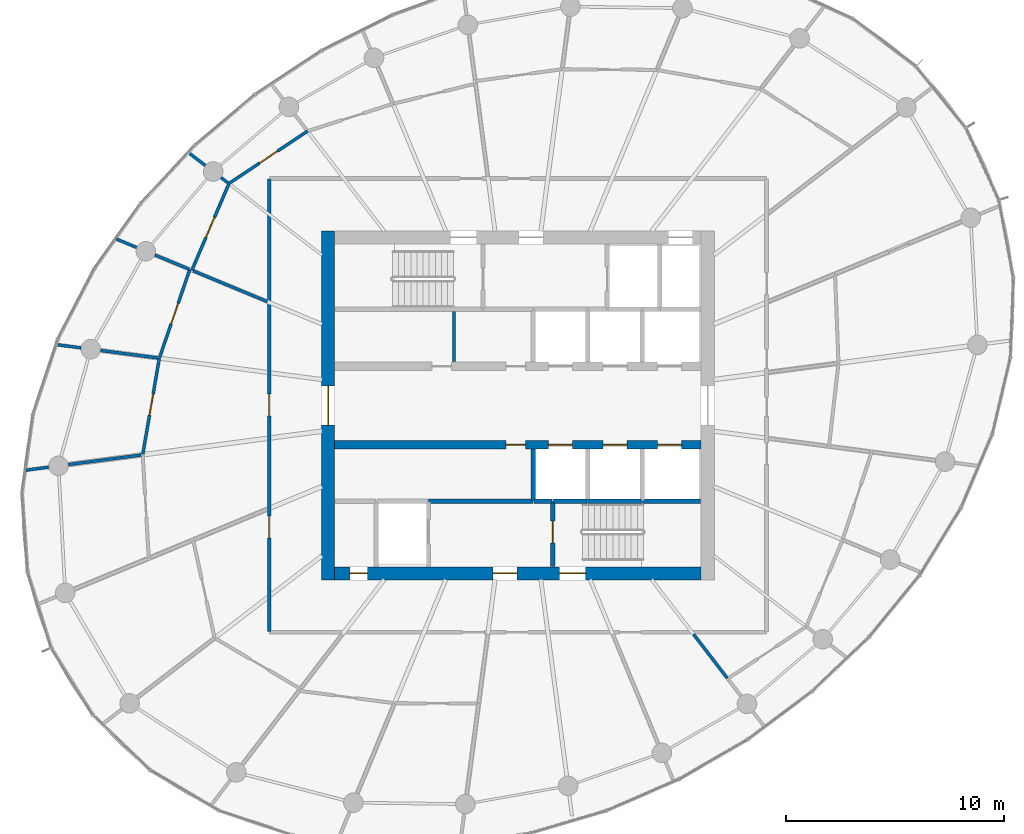
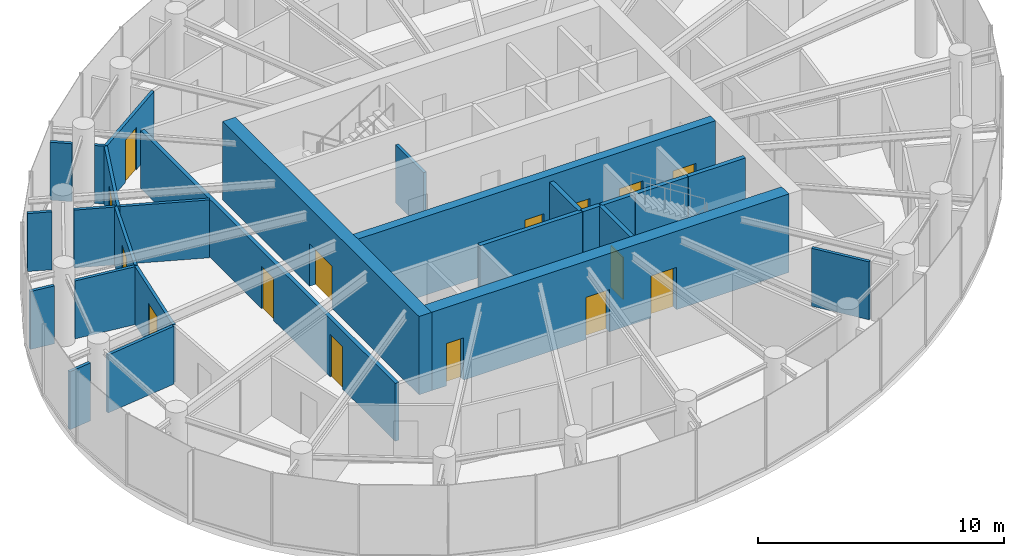
# One storey, part 10 of 15: 26 walls, 15 doors, 15 openings.
"""IFC4 building model written with IfcOpenShell, lengths in metres."""

from ifc_helpers import new_model, si_unit, direction, frame, frame_2d, origin, place, context, subcontext, project, spatial, rectangle, extrude, source, transform, mapped, material, layer, layer_set, type_object, element, fill, save


model = new_model("IFC4")

# Units and contexts
model_context = context("Model", 3, precision=1e-05, world=origin(), true_north=direction((0.0, 1.0)))
body_context = subcontext(model_context, "Body", "Model", "MODEL_VIEW")
ifc_project = project(units=[si_unit("LENGTHUNIT", "METRE"), si_unit("AREAUNIT", "SQUARE_METRE"), si_unit("VOLUMEUNIT", "CUBIC_METRE"), si_unit("PLANEANGLEUNIT", "RADIAN"), si_unit("MASSUNIT", "GRAM", prefix="KILO")], contexts=[model_context])

# Site, building, storey
site_placement = place(None, origin())
site = spatial("IfcSite", under=ifc_project, at=site_placement, CompositionType="ELEMENT")
building_placement = place(site_placement, origin())
building = spatial("IfcBuilding", under=site, at=building_placement, Name="Spindrift Exchange Tower", CompositionType="ELEMENT")
storey_placement = place(building_placement, frame((0.0, 0.0, 199.39990234375)))
storey = spatial("IfcBuildingStorey", under=building, at=storey_placement, Name="L48", CompositionType="ELEMENT", Elevation=199.39990234375)

# Wall, opening, door
ifc_material_1 = material(Name="Concrete 50 MPa", Category="concrete")
ifc_layer_1 = layer(ifc_material_1, 0.60009765625)
ifc_layer_set_1 = layer_set([ifc_layer_1], Name="RC Core Wall 600 Concrete 50 MPa")
wall_type_1 = type_object("IfcWallType", Name="RC Core Wall 600 Concrete 50 MPa", PredefinedType="SHEAR", material=ifc_layer_set_1)
wall_1_placement = place(storey_placement, frame((43.300048828125, 56.0, 0.0), z_axis=(0.0, 0.0, 1.0), x_axis=(0.0, -1.0, 0.0)))
wall_1 = element("IfcWall", 1, at=wall_1_placement, inside=storey, type_object=wall_type_1, Name="Core wall W L48", PredefinedType="SHEAR", context=body_context, shape_type="SweptSolid", body=[
    extrude(rectangle(XDim=16.0, YDim=0.60009765625, at=frame_2d((8.0, 0.0))), origin(), (0.0, 0.0, 1.0), 3.900146484375),
])
opening_1_placement = place(wall_1_placement, frame((7.10009765625, 0.0, 0.0)))
opening_1 = element("IfcOpeningElement", 2, at=opening_1_placement, cuts=wall_1, Name="Opening L48-D1", PredefinedType="OPENING", context=body_context, shape_type="SweptSolid", body=[
    extrude(rectangle(XDim=1.800048828125, YDim=2.10009765625, at=frame_2d((0.89990234375, 1.050048828125))), frame((0.0, 0.31005859375, 0.0), z_axis=(0.0, -1.0, 0.0), x_axis=(1.0, 0.0, 0.0)), (0.0, 0.0, 1.0), 0.6201171875),
])
ifc_material_2 = material(Name="Timber-core fire door", Category="wood")
door_type_1 = type_object("IfcDoorType", Name="DR-LOBBY-1800", OperationType="NOTDEFINED", PredefinedType="DOOR", material=ifc_material_2)
shared_shape_1 = source(origin(), body_context, "Body", "SweptSolid", [
    extrude(rectangle(XDim=1.800048828125, YDim=2.10009765625, at=frame_2d((0.89990234375, 1.050048828125))), frame((0.0, 0.02490234375, 0.0), z_axis=(0.0, -1.0, 0.0), x_axis=(1.0, 0.0, 0.0)), (0.0, 0.0, 1.0), 0.050048828125),
])
door_1_placement = place(opening_1_placement, origin())
door_1 = element("IfcDoor", 3, at=door_1_placement, inside=storey, type_object=door_type_1, Name="L48 Lobby door 1", OperationType="SINGLE_SWING_RIGHT", OverallHeight=2.10009765625, OverallWidth=1.800048828125, PredefinedType="DOOR", context=body_context, shape_type="MappedRepresentation", body=[
    mapped(shared_shape_1, transform((0.0, 0.0, 0.0), scale=1.0)),
])
fill(opening_1, door_1)

# Wall, openings, doors
wall_2_placement = place(storey_placement, frame((43.60009765625, 40.300048828125, 0.0), z_axis=(0.0, 0.0, 1.0), x_axis=(1.0, 0.0, 0.0)))
wall_2 = element("IfcWall", 4, at=wall_2_placement, inside=storey, type_object=wall_type_1, Name="Core wall S L48", PredefinedType="SHEAR", context=body_context, shape_type="SweptSolid", body=[
    extrude(rectangle(XDim=16.7998046875, YDim=0.60009765625, at=frame_2d((8.39990234375, 0.0))), origin(), (0.0, 0.0, 1.0), 3.900146484375),
])
opening_2_placement = place(wall_2_placement, frame((10.300048828125, 0.0, 0.0)))
opening_2 = element("IfcOpeningElement", 5, at=opening_2_placement, cuts=wall_2, Name="Opening L48-D15", PredefinedType="OPENING", context=body_context, shape_type="SweptSolid", body=[
    extrude(rectangle(XDim=1.199951171875, YDim=2.10009765625, at=frame_2d((0.60009765625, 1.050048828125))), frame((0.0, 0.31005859375, 0.0), z_axis=(0.0, -1.0, 0.0), x_axis=(1.0, 0.0, 0.0)), (0.0, 0.0, 1.0), 0.6201171875),
])
opening_3_placement = place(wall_2_placement, frame((7.25, 0.0, 0.0)))
opening_3 = element("IfcOpeningElement", 6, at=opening_3_placement, cuts=wall_2, Name="Opening L48-D17", PredefinedType="OPENING", context=body_context, shape_type="SweptSolid", body=[
    extrude(rectangle(XDim=1.10009765625, YDim=2.10009765625, at=frame_2d((0.550048828125, 1.050048828125))), frame((0.0, 0.31005859375, 0.0), z_axis=(0.0, -1.0, 0.0), x_axis=(1.0, 0.0, 0.0)), (0.0, 0.0, 1.0), 0.6201171875),
])
opening_4_placement = place(wall_2_placement, frame((0.699951171875, 0.0, 0.0)))
opening_4 = element("IfcOpeningElement", 7, at=opening_4_placement, cuts=wall_2, Name="Opening L48-D18", PredefinedType="OPENING", context=body_context, shape_type="SweptSolid", body=[
    extrude(rectangle(XDim=0.800048828125, YDim=2.10009765625, at=frame_2d((0.39990234375, 1.050048828125))), frame((0.0, 0.31005859375, 0.0), z_axis=(0.0, -1.0, 0.0), x_axis=(1.0, 0.0, 0.0)), (0.0, 0.0, 1.0), 0.6201171875),
])
ifc_material_3 = material(Name="Steel fire door", Category="steel")
door_type_2 = type_object("IfcDoorType", Name="DR-STAIR-1200", OperationType="NOTDEFINED", PredefinedType="DOOR", material=ifc_material_3)
shared_shape_2 = source(origin(), body_context, "Body", "SweptSolid", [
    extrude(rectangle(XDim=1.199951171875, YDim=2.10009765625, at=frame_2d((0.60009765625, 1.050048828125))), frame((0.0, 0.02490234375, 0.0), z_axis=(0.0, -1.0, 0.0), x_axis=(1.0, 0.0, 0.0)), (0.0, 0.0, 1.0), 0.050048828125),
])
door_2_placement = place(opening_2_placement, origin())
door_2 = element("IfcDoor", 8, at=door_2_placement, inside=storey, type_object=door_type_2, Name="L48 Stair door 15", OperationType="SINGLE_SWING_LEFT", OverallHeight=2.10009765625, OverallWidth=1.199951171875, PredefinedType="DOOR", context=body_context, shape_type="MappedRepresentation", body=[
    mapped(shared_shape_2, transform((0.0, 0.0, 0.0), scale=1.0)),
])
fill(opening_2, door_2)
door_type_3 = type_object("IfcDoorType", Name="DR-LOBBY-1100", OperationType="NOTDEFINED", PredefinedType="DOOR", material=ifc_material_2)
shared_shape_3 = source(origin(), body_context, "Body", "SweptSolid", [
    extrude(rectangle(XDim=1.10009765625, YDim=2.10009765625, at=frame_2d((0.550048828125, 1.050048828125))), frame((0.0, 0.02490234375, 0.0), z_axis=(0.0, -1.0, 0.0), x_axis=(1.0, 0.0, 0.0)), (0.0, 0.0, 1.0), 0.050048828125),
])
door_3_placement = place(opening_3_placement, origin())
door_3 = element("IfcDoor", 9, at=door_3_placement, inside=storey, type_object=door_type_3, Name="L48 Lobby door 17", OperationType="SINGLE_SWING_LEFT", OverallHeight=2.10009765625, OverallWidth=1.10009765625, PredefinedType="DOOR", context=body_context, shape_type="MappedRepresentation", body=[
    mapped(shared_shape_3, transform((0.0, 0.0, 0.0), scale=1.0)),
])
fill(opening_3, door_3)
ifc_material_4 = material(Name="Steel access door", Category="steel")
door_type_4 = type_object("IfcDoorType", Name="DR-RISER-800", OperationType="NOTDEFINED", PredefinedType="DOOR", material=ifc_material_4)
shared_shape_4 = source(origin(), body_context, "Body", "SweptSolid", [
    extrude(rectangle(XDim=0.800048828125, YDim=2.10009765625, at=frame_2d((0.39990234375, 1.050048828125))), frame((0.0, 0.02490234375, 0.0), z_axis=(0.0, -1.0, 0.0), x_axis=(1.0, 0.0, 0.0)), (0.0, 0.0, 1.0), 0.050048828125),
])
door_4_placement = place(opening_4_placement, origin())
door_4 = element("IfcDoor", 10, at=door_4_placement, inside=storey, type_object=door_type_4, Name="L48 Riser door 18", OperationType="SINGLE_SWING_RIGHT", OverallHeight=2.10009765625, OverallWidth=0.800048828125, PredefinedType="DOOR", context=body_context, shape_type="MappedRepresentation", body=[
    mapped(shared_shape_4, transform((0.0, 0.0, 0.0), scale=1.0)),
])
fill(opening_4, door_4)

ifc_layer_2 = layer(ifc_material_1, 0.39990234375)
ifc_layer_set_2 = layer_set([ifc_layer_2], Name="RC Spine Wall 400 Concrete 50 MPa")
wall_type_2 = type_object("IfcWallType", Name="RC Spine Wall 400 Concrete 50 MPa", PredefinedType="SHEAR", material=ifc_layer_set_2)
wall_3_placement = place(storey_placement, frame((43.60009765625, 46.199951171875, 0.0), z_axis=(0.0, 0.0, 1.0), x_axis=(1.0, 0.0, 0.0)))
wall_3 = element("IfcWall", 11, at=wall_3_placement, inside=storey, type_object=wall_type_2, Name="Core spine wall S L48", PredefinedType="SHEAR", context=body_context, shape_type="SweptSolid", body=[
    extrude(rectangle(XDim=16.7998046875, YDim=0.39990234375, at=frame_2d((8.39990234375, 0.0))), origin(), (0.0, 0.0, 1.0), 3.900146484375),
])
opening_5_placement = place(wall_3_placement, frame((9.800048828125, 0.0, 0.0)))
opening_5 = element("IfcOpeningElement", 12, at=opening_5_placement, cuts=wall_3, Name="Opening L48-D6", PredefinedType="OPENING", context=body_context, shape_type="SweptSolid", body=[
    extrude(rectangle(XDim=1.10009765625, YDim=2.10009765625, at=frame_2d((0.550048828125, 1.050048828125))), frame((0.0, 0.2099609375, 0.0), z_axis=(0.0, -1.0, 0.0), x_axis=(1.0, 0.0, 0.0)), (0.0, 0.0, 1.0), 0.419921875),
])
opening_6_placement = place(wall_3_placement, frame((12.300048828125, 0.0, 0.0)))
opening_6 = element("IfcOpeningElement", 13, at=opening_6_placement, cuts=wall_3, Name="Opening L48-D7", PredefinedType="OPENING", context=body_context, shape_type="SweptSolid", body=[
    extrude(rectangle(XDim=1.10009765625, YDim=2.10009765625, at=frame_2d((0.550048828125, 1.050048828125))), frame((0.0, 0.2099609375, 0.0), z_axis=(0.0, -1.0, 0.0), x_axis=(1.0, 0.0, 0.0)), (0.0, 0.0, 1.0), 0.419921875),
])
opening_7_placement = place(wall_3_placement, frame((14.800048828125, 0.0, 0.0)))
opening_7 = element("IfcOpeningElement", 14, at=opening_7_placement, cuts=wall_3, Name="Opening L48-D8", PredefinedType="OPENING", context=body_context, shape_type="SweptSolid", body=[
    extrude(rectangle(XDim=1.10009765625, YDim=2.10009765625, at=frame_2d((0.550048828125, 1.050048828125))), frame((0.0, 0.2099609375, 0.0), z_axis=(0.0, -1.0, 0.0), x_axis=(1.0, 0.0, 0.0)), (0.0, 0.0, 1.0), 0.419921875),
])
opening_8_placement = place(wall_3_placement, frame((7.85009765625, 0.0, 0.0)))
opening_8 = element("IfcOpeningElement", 15, at=opening_8_placement, cuts=wall_3, Name="Opening L48-D51", PredefinedType="OPENING", context=body_context, shape_type="SweptSolid", body=[
    extrude(rectangle(XDim=0.89990234375, YDim=2.10009765625, at=frame_2d((0.449951171875, 1.050048828125))), frame((0.0, 0.2099609375, 0.0), z_axis=(0.0, -1.0, 0.0), x_axis=(1.0, 0.0, 0.0)), (0.0, 0.0, 1.0), 0.419921875),
])
ifc_material_5 = material(Name="Stainless steel landing door", Category="steel")
door_type_5 = type_object("IfcDoorType", Name="DR-LANDING-1100-SL", OperationType="DOUBLE_DOOR_SLIDING", PredefinedType="USERDEFINED", material=ifc_material_5)
shared_shape_5 = source(origin(), body_context, "Body", "SweptSolid", [
    extrude(rectangle(XDim=1.10009765625, YDim=2.10009765625, at=frame_2d((0.550048828125, 1.050048828125))), frame((0.0, 0.02490234375, 0.0), z_axis=(0.0, -1.0, 0.0), x_axis=(1.0, 0.0, 0.0)), (0.0, 0.0, 1.0), 0.050048828125),
])
door_5_placement = place(opening_5_placement, origin())
door_5 = element("IfcDoor", 16, at=door_5_placement, inside=storey, type_object=door_type_5, Name="L48 Lift landing door 6", ObjectType="LANDING DOOR", OperationType="DOUBLE_DOOR_SLIDING", OverallHeight=2.10009765625, OverallWidth=1.10009765625, PredefinedType="USERDEFINED", context=body_context, shape_type="MappedRepresentation", body=[
    mapped(shared_shape_5, transform((0.0, 0.0, 0.0), scale=1.0)),
])
fill(opening_5, door_5)
door_6_placement = place(opening_6_placement, origin())
door_6 = element("IfcDoor", 17, at=door_6_placement, inside=storey, type_object=door_type_5, Name="L48 Lift landing door 7", ObjectType="LANDING DOOR", OperationType="DOUBLE_DOOR_SLIDING", OverallHeight=2.10009765625, OverallWidth=1.10009765625, PredefinedType="USERDEFINED", context=body_context, shape_type="MappedRepresentation", body=[
    mapped(shared_shape_5, transform((0.0, 0.0, 0.0), scale=1.0)),
])
fill(opening_6, door_6)
door_7_placement = place(opening_7_placement, origin())
door_7 = element("IfcDoor", 18, at=door_7_placement, inside=storey, type_object=door_type_5, Name="L48 Lift landing door 8", ObjectType="LANDING DOOR", OperationType="DOUBLE_DOOR_SLIDING", OverallHeight=2.10009765625, OverallWidth=1.10009765625, PredefinedType="USERDEFINED", context=body_context, shape_type="MappedRepresentation", body=[
    mapped(shared_shape_5, transform((0.0, 0.0, 0.0), scale=1.0)),
])
fill(opening_7, door_7)
door_type_6 = type_object("IfcDoorType", Name="DR-RISER-900", OperationType="NOTDEFINED", PredefinedType="DOOR", material=ifc_material_4)
shared_shape_6 = source(origin(), body_context, "Body", "SweptSolid", [
    extrude(rectangle(XDim=0.89990234375, YDim=2.10009765625, at=frame_2d((0.449951171875, 1.050048828125))), frame((0.0, 0.02490234375, 0.0), z_axis=(0.0, -1.0, 0.0), x_axis=(1.0, 0.0, 0.0)), (0.0, 0.0, 1.0), 0.050048828125),
])
door_8_placement = place(opening_8_placement, origin())
door_8 = element("IfcDoor", 19, at=door_8_placement, inside=storey, type_object=door_type_6, Name="L48 Riser door 51", OperationType="SINGLE_SWING_LEFT", OverallHeight=2.10009765625, OverallWidth=0.89990234375, PredefinedType="DOOR", context=body_context, shape_type="MappedRepresentation", body=[
    mapped(shared_shape_6, transform((0.0, 0.0, 0.0), scale=1.0)),
])
fill(opening_8, door_8)

ifc_material_6 = material(Name="Fire-rated plasterboard partition", Category="gypsum")
ifc_layer_3 = layer(ifc_material_6, 0.179931640625)
ifc_layer_set_3 = layer_set([ifc_layer_3], Name="W-CORR-180")
wall_type_3 = type_object("IfcWallType", Name="W-CORR-180", PredefinedType="PARTITIONING", material=ifc_layer_set_3)
wall_4_placement = place(storey_placement, frame((40.60009765625, 37.6298828125, 0.0), z_axis=(0.0, 0.0, 1.0), x_axis=(0.0, 1.0, 0.0)))
wall_4 = element("IfcWall", 20, at=wall_4_placement, inside=storey, type_object=wall_type_3, Name="L48 Partition wall 30", PredefinedType="PARTITIONING", context=body_context, shape_type="SweptSolid", body=[
    extrude(rectangle(XDim=20.740234375, YDim=0.179931640625, at=frame_2d((10.3701171875, 0.0))), origin(), (0.0, 0.0, 1.0), 2.880126953125),
])
opening_9_placement = place(wall_4_placement, frame((9.889892578125, 0.0, 0.0)))
opening_9 = element("IfcOpeningElement", 21, at=opening_9_placement, cuts=wall_4, Name="Opening L48-D33", PredefinedType="OPENING", context=body_context, shape_type="SweptSolid", body=[
    extrude(rectangle(XDim=1.0, YDim=2.10009765625, at=frame_2d((0.5, 1.050048828125))), frame((0.0, 0.099853515625, 0.0), z_axis=(0.0, -1.0, 0.0), x_axis=(1.0, 0.0, 0.0)), (0.0, 0.0, 1.0), 0.199951171875),
])
opening_10_placement = place(wall_4_placement, frame((4.2900390625, 0.0, 0.0)))
opening_10 = element("IfcOpeningElement", 22, at=opening_10_placement, cuts=wall_4, Name="Opening L48-D37", PredefinedType="OPENING", context=body_context, shape_type="SweptSolid", body=[
    extrude(rectangle(XDim=1.0, YDim=2.10009765625, at=frame_2d((0.5, 1.050048828125))), frame((0.0, 0.099853515625, 0.0), z_axis=(0.0, -1.0, 0.0), x_axis=(1.0, 0.0, 0.0)), (0.0, 0.0, 1.0), 0.199951171875),
])
door_type_7 = type_object("IfcDoorType", Name="DR-ROOM-1000", OperationType="NOTDEFINED", PredefinedType="DOOR", material=ifc_material_2)
shared_shape_7 = source(origin(), body_context, "Body", "SweptSolid", [
    extrude(rectangle(XDim=1.0, YDim=2.10009765625, at=frame_2d((0.5, 1.050048828125))), frame((0.0, 0.02490234375, 0.0), z_axis=(0.0, -1.0, 0.0), x_axis=(1.0, 0.0, 0.0)), (0.0, 0.0, 1.0), 0.050048828125),
])
door_9_placement = place(opening_9_placement, origin())
door_9 = element("IfcDoor", 23, at=door_9_placement, inside=storey, type_object=door_type_7, Name="L48 Door 33", OperationType="SINGLE_SWING_LEFT", OverallHeight=2.10009765625, OverallWidth=1.0, PredefinedType="DOOR", context=body_context, shape_type="MappedRepresentation", body=[
    mapped(shared_shape_7, transform((0.0, 0.0, 0.0), scale=1.0)),
])
fill(opening_9, door_9)
door_10_placement = place(opening_10_placement, origin())
door_10 = element("IfcDoor", 24, at=door_10_placement, inside=storey, type_object=door_type_7, Name="L48 Door 37", OperationType="SINGLE_SWING_LEFT", OverallHeight=2.10009765625, OverallWidth=1.0, PredefinedType="DOOR", context=body_context, shape_type="MappedRepresentation", body=[
    mapped(shared_shape_7, transform((0.0, 0.0, 0.0), scale=1.0)),
])
fill(opening_10, door_10)

# Wall, opening, door
ifc_layer_4 = layer(ifc_material_6, 0.139892578125)
ifc_layer_set_4 = layer_set([ifc_layer_4], Name="W-PART-140")
wall_type_4 = type_object("IfcWallType", Name="W-PART-140", PredefinedType="PARTITIONING", material=ifc_layer_set_4)
wall_5_placement = place(storey_placement, frame((34.803466796875, 45.764892578125, 0.0), z_axis=(0.0, 0.0, 1.0), x_axis=(0.169868456253, 0.98546674605, 0.0)))
wall_5 = element("IfcWall", 25, at=wall_5_placement, inside=storey, type_object=wall_type_4, Name="L48 Partition wall 39", PredefinedType="PARTITIONING", context=body_context, shape_type="SweptSolid", body=[
    extrude(rectangle(XDim=4.464111328125, YDim=0.139892578125, at=frame_2d((2.23193359375, 0.0))), origin(), (0.0, 0.0, 1.0), 2.880126953125),
])
opening_11_placement = place(wall_5_placement, frame((1.814208984375, 0.0, 0.0)))
opening_11 = element("IfcOpeningElement", 26, at=opening_11_placement, cuts=wall_5, Name="Opening L48-D35", PredefinedType="OPENING", context=body_context, shape_type="SweptSolid", body=[
    extrude(rectangle(XDim=1.0, YDim=2.10009765625, at=frame_2d((0.5, 1.050048828125))), frame((0.0, 0.079833984375, 0.0), z_axis=(0.0, -1.0, 0.0), x_axis=(1.0, 0.0, 0.0)), (0.0, 0.0, 1.0), 0.159912109375),
])
door_11_placement = place(opening_11_placement, origin())
door_11 = element("IfcDoor", 27, at=door_11_placement, inside=storey, type_object=door_type_7, Name="L48 Door 35", OperationType="SINGLE_SWING_LEFT", OverallHeight=2.10009765625, OverallWidth=1.0, PredefinedType="DOOR", context=body_context, shape_type="MappedRepresentation", body=[
    mapped(shared_shape_7, transform((0.0, 0.0, 0.0), scale=1.0)),
])
fill(opening_11, door_11)

wall_6_placement = place(storey_placement, frame((38.751708984375, 58.165771484375, 0.0), z_axis=(0.0, 0.0, 1.0), x_axis=(0.831520936595, 0.555493413106, 0.0)))
wall_6 = element("IfcWall", 28, at=wall_6_placement, inside=storey, type_object=wall_type_4, Name="L48 Partition wall 45", PredefinedType="PARTITIONING", context=body_context, shape_type="SweptSolid", body=[
    extrude(rectangle(XDim=4.331298828125, YDim=0.139892578125, at=frame_2d((2.16552734375, 0.0))), origin(), (0.0, 0.0, 1.0), 2.880126953125),
])
opening_12_placement = place(wall_6_placement, frame((1.681396484375, 0.0, 0.0)))
opening_12 = element("IfcOpeningElement", 29, at=opening_12_placement, cuts=wall_6, Name="Opening L48-D31", PredefinedType="OPENING", context=body_context, shape_type="SweptSolid", body=[
    extrude(rectangle(XDim=1.0, YDim=2.10009765625, at=frame_2d((0.5, 1.050048828125))), frame((0.0, 0.079833984375, 0.0), z_axis=(0.0, -1.0, 0.0), x_axis=(1.0, 0.0, 0.0)), (0.0, 0.0, 1.0), 0.159912109375),
])
door_12_placement = place(opening_12_placement, origin())
door_12 = element("IfcDoor", 30, at=door_12_placement, inside=storey, type_object=door_type_7, Name="L48 Door 31", OperationType="SINGLE_SWING_LEFT", OverallHeight=2.10009765625, OverallWidth=1.0, PredefinedType="DOOR", context=body_context, shape_type="MappedRepresentation", body=[
    mapped(shared_shape_7, transform((0.0, 0.0, 0.0), scale=1.0)),
])
fill(opening_12, door_12)

wall_7_placement = place(storey_placement, frame((37.052490234375, 54.19140625, 0.0), z_axis=(0.0, 0.0, 1.0), x_axis=(0.393136601212, 0.919480077428, 0.0)))
wall_7 = element("IfcWall", 31, at=wall_7_placement, inside=storey, type_object=wall_type_4, Name="L48 Partition wall 46", PredefinedType="PARTITIONING", context=body_context, shape_type="SweptSolid", body=[
    extrude(rectangle(XDim=4.29248046875, YDim=0.139892578125, at=frame_2d((2.146240234375, 0.0))), origin(), (0.0, 0.0, 1.0), 2.880126953125),
])
opening_13_placement = place(wall_7_placement, frame((1.642333984375, 0.0, 0.0)))
opening_13 = element("IfcOpeningElement", 32, at=opening_13_placement, cuts=wall_7, Name="Opening L48-D32", PredefinedType="OPENING", context=body_context, shape_type="SweptSolid", body=[
    extrude(rectangle(XDim=1.0, YDim=2.10009765625, at=frame_2d((0.5, 1.050048828125))), frame((0.0, 0.079833984375, 0.0), z_axis=(0.0, -1.0, 0.0), x_axis=(1.0, 0.0, 0.0)), (0.0, 0.0, 1.0), 0.159912109375),
])
door_13_placement = place(opening_13_placement, origin())
door_13 = element("IfcDoor", 33, at=door_13_placement, inside=storey, type_object=door_type_7, Name="L48 Door 32", OperationType="SINGLE_SWING_RIGHT", OverallHeight=2.10009765625, OverallWidth=1.0, PredefinedType="DOOR", context=body_context, shape_type="MappedRepresentation", body=[
    mapped(shared_shape_7, transform((0.0, 0.0, 0.0), scale=1.0)),
])
fill(opening_13, door_13)

wall_8_placement = place(storey_placement, frame((35.5712890625, 50.1923828125, 0.0), z_axis=(0.0, 0.0, 1.0), x_axis=(0.324894390552, 0.945750302663, 0.0)))
wall_8 = element("IfcWall", 34, at=wall_8_placement, inside=storey, type_object=wall_type_4, Name="L48 Partition wall 49", PredefinedType="PARTITIONING", context=body_context, shape_type="SweptSolid", body=[
    extrude(rectangle(XDim=4.269775390625, YDim=0.139892578125, at=frame_2d((2.134765625, 0.0))), origin(), (0.0, 0.0, 1.0), 2.880126953125),
])
opening_14_placement = place(wall_8_placement, frame((1.619384765625, 0.0, 0.0)))
opening_14 = element("IfcOpeningElement", 35, at=opening_14_placement, cuts=wall_8, Name="Opening L48-D34", PredefinedType="OPENING", context=body_context, shape_type="SweptSolid", body=[
    extrude(rectangle(XDim=1.0, YDim=2.10009765625, at=frame_2d((0.5, 1.050048828125))), frame((0.0, 0.079833984375, 0.0), z_axis=(0.0, -1.0, 0.0), x_axis=(1.0, 0.0, 0.0)), (0.0, 0.0, 1.0), 0.159912109375),
])
door_14_placement = place(opening_14_placement, origin())
door_14 = element("IfcDoor", 36, at=door_14_placement, inside=storey, type_object=door_type_7, Name="L48 Door 34", OperationType="SINGLE_SWING_RIGHT", OverallHeight=2.10009765625, OverallWidth=1.0, PredefinedType="DOOR", context=body_context, shape_type="MappedRepresentation", body=[
    mapped(shared_shape_7, transform((0.0, 0.0, 0.0), scale=1.0)),
])
fill(opening_14, door_14)

# Walls
wall_9_placement = place(storey_placement, frame((40.510009765625, 52.75927734375, 0.0), z_axis=(0.0, 0.0, 1.0), x_axis=(-0.923863687113, 0.3827216843, 0.0)))
element("IfcWall", 37, at=wall_9_placement, inside=storey, type_object=wall_type_4, Name="L48 Partition wall 58", PredefinedType="PARTITIONING", context=body_context, shape_type="SweptSolid", body=[
    extrude(rectangle(XDim=3.67236328125, YDim=0.139892578125, at=frame_2d((1.836181640625, 0.0))), origin(), (0.0, 0.0, 1.0), 2.880126953125),
])
wall_10_placement = place(storey_placement, frame((34.72900390625, 45.726318359375, 0.0), z_axis=(0.0, 0.0, 1.0), x_axis=(-0.99144048011, -0.130559466907, 0.0)))
element("IfcWall", 38, at=wall_10_placement, inside=storey, type_object=wall_type_4, Name="L48 Partition wall 62", PredefinedType="PARTITIONING", context=body_context, shape_type="SweptSolid", body=[
    extrude(rectangle(XDim=3.36962890625, YDim=0.139892578125, at=frame_2d((1.684814453125, 0.0))), origin(), (0.0, 0.0, 1.0), 2.880126953125),
])
wall_11_placement = place(storey_placement, frame((35.4921875, 50.17333984375, 0.0), z_axis=(0.0, 0.0, 1.0), x_axis=(-0.99144738292, 0.130507037744, 0.0)))
element("IfcWall", 39, at=wall_11_placement, inside=storey, type_object=wall_type_4, Name="L48 Partition wall 68", PredefinedType="PARTITIONING", context=body_context, shape_type="SweptSolid", body=[
    extrude(rectangle(XDim=2.645263671875, YDim=0.139892578125, at=frame_2d((1.32275390625, 0.0))), origin(), (0.0, 0.0, 1.0), 2.880126953125),
])
wall_12_placement = place(storey_placement, frame((60.04931640625, 37.510009765625, 0.0), z_axis=(0.0, 0.0, 1.0), x_axis=(0.608703571787, -0.793397732348, 0.0)))
element("IfcWall", 40, at=wall_12_placement, inside=storey, type_object=wall_type_4, Name="L48 Partition wall 69", PredefinedType="PARTITIONING", context=body_context, shape_type="SweptSolid", body=[
    extrude(rectangle(XDim=2.543212890625, YDim=0.139892578125, at=frame_2d((1.271484375, 0.0))), origin(), (0.0, 0.0, 1.0), 2.880126953125),
])
wall_13_placement = place(storey_placement, frame((49.06005859375, 50.010009765625, 0.0), z_axis=(0.0, 0.0, 1.0), x_axis=(0.0, 1.0, 0.0)))
element("IfcWall", 41, at=wall_13_placement, inside=storey, type_object=wall_type_4, Name="L48 Partition wall 74", PredefinedType="PARTITIONING", context=body_context, shape_type="SweptSolid", body=[
    extrude(rectangle(XDim=2.2900390625, YDim=0.139892578125, at=frame_2d((1.14501953125, 0.0))), origin(), (0.0, 0.0, 1.0), 2.880126953125),
])
wall_14_placement = place(storey_placement, frame((36.9306640625, 54.241943359375, 0.0), z_axis=(0.0, 0.0, 1.0), x_axis=(-0.923878465172, 0.382686009139, 0.0)))
element("IfcWall", 42, at=wall_14_placement, inside=storey, type_object=wall_type_4, Name="L48 Partition wall 80", PredefinedType="PARTITIONING", context=body_context, shape_type="SweptSolid", body=[
    extrude(rectangle(XDim=1.698974609375, YDim=0.139892578125, at=frame_2d((0.849609375, 0.0))), origin(), (0.0, 0.0, 1.0), 2.880126953125),
])
wall_15_placement = place(storey_placement, frame((31.968505859375, 50.63720703125, 0.0), z_axis=(0.0, 0.0, 1.0), x_axis=(-0.991454295543, 0.130454512571, 0.0)))
element("IfcWall", 43, at=wall_15_placement, inside=storey, type_object=wall_type_4, Name="L48 Partition wall 90", PredefinedType="PARTITIONING", context=body_context, shape_type="SweptSolid", body=[
    extrude(rectangle(XDim=1.066650390625, YDim=0.139892578125, at=frame_2d((0.533203125, 0.0))), origin(), (0.0, 0.0, 1.0), 2.880126953125),
])
wall_16_placement = place(storey_placement, frame((30.487060546875, 45.167724609375, 0.0), z_axis=(0.0, 0.0, 1.0), x_axis=(-0.991443243408, -0.1305384813, 0.0)))
element("IfcWall", 44, at=wall_16_placement, inside=storey, type_object=wall_type_4, Name="L48 Partition wall 92", PredefinedType="PARTITIONING", context=body_context, shape_type="SweptSolid", body=[
    extrude(rectangle(XDim=1.052978515625, YDim=0.139892578125, at=frame_2d((0.5263671875, 0.0))), origin(), (0.0, 0.0, 1.0), 2.880126953125),
])
wall_17_placement = place(storey_placement, frame((34.520263671875, 55.240478515625, 0.0), z_axis=(0.0, 0.0, 1.0), x_axis=(-0.923927521376, 0.382567556445, 0.0)))
element("IfcWall", 45, at=wall_17_placement, inside=storey, type_object=wall_type_4, Name="L48 Partition wall 94", PredefinedType="PARTITIONING", context=body_context, shape_type="SweptSolid", body=[
    extrude(rectangle(XDim=0.999267578125, YDim=0.139892578125, at=frame_2d((0.49951171875, 0.0))), origin(), (0.0, 0.0, 1.0), 2.880126953125),
])
wall_18_placement = place(storey_placement, frame((37.66845703125, 58.9970703125, 0.0), z_axis=(0.0, 0.0, 1.0), x_axis=(-0.79343675283, 0.608652708249, 0.0)))
element("IfcWall", 46, at=wall_18_placement, inside=storey, type_object=wall_type_4, Name="L48 Partition wall 100", PredefinedType="PARTITIONING", context=body_context, shape_type="SweptSolid", body=[
    extrude(rectangle(XDim=0.90380859375, YDim=0.139892578125, at=frame_2d((0.451904296875, 0.0))), origin(), (0.0, 0.0, 1.0), 2.880126953125),
])
wall_19_placement = place(storey_placement, frame((38.72802734375, 58.18408203125, 0.0), z_axis=(0.0, 0.0, 1.0), x_axis=(-0.793495772857, 0.608575762299, 0.0)))
element("IfcWall", 47, at=wall_19_placement, inside=storey, type_object=wall_type_4, Name="L48 Partition wall 106", PredefinedType="PARTITIONING", context=body_context, shape_type="SweptSolid", body=[
    extrude(rectangle(XDim=0.426513671875, YDim=0.139892578125, at=frame_2d((0.21337890625, 0.0))), origin(), (0.0, 0.0, 1.0), 2.880126953125),
])
ifc_material_7 = material(Name="Concrete 40 MPa", Category="concrete")
ifc_layer_5 = layer(ifc_material_7, 0.199951171875)
ifc_layer_set_5 = layer_set([ifc_layer_5], Name="W-SHAFT-200")
wall_type_5 = type_object("IfcWallType", Name="W-SHAFT-200", PredefinedType="SOLIDWALL", material=ifc_layer_set_5)
wall_20_placement = place(storey_placement, frame((52.699951171875, 43.60009765625, 0.0), z_axis=(0.0, 0.0, 1.0), x_axis=(-1.0, 0.0, 0.0)))
element("IfcWall", 48, at=wall_20_placement, inside=storey, type_object=wall_type_5, Name="L48 Shaft wall 2", PredefinedType="SOLIDWALL", context=body_context, shape_type="SweptSolid", body=[
    extrude(rectangle(XDim=4.800048828125, YDim=0.199951171875, at=frame_2d((2.39990234375, 0.0))), origin(), (0.0, 0.0, 1.0), 3.580078125),
])
wall_21_placement = place(storey_placement, frame((52.699951171875, 45.989990234375, 0.0), z_axis=(0.0, 0.0, 1.0), x_axis=(0.0, -1.0, 0.0)))
element("IfcWall", 49, at=wall_21_placement, inside=storey, type_object=wall_type_5, Name="L48 Shaft wall 13", PredefinedType="SOLIDWALL", context=body_context, shape_type="SweptSolid", body=[
    extrude(rectangle(XDim=2.360107421875, YDim=0.199951171875, at=frame_2d((1.18017578125, 0.0))), origin(), (0.0, 0.0, 1.0), 3.580078125),
])

# Wall, opening, door
ifc_layer_6 = layer(ifc_material_7, 0.199951171875)
ifc_layer_set_6 = layer_set([ifc_layer_6], Name="W-SHAFT-200-LB")
wall_type_6 = type_object("IfcWallType", Name="W-SHAFT-200-LB", PredefinedType="SOLIDWALL", material=ifc_layer_set_6)
wall_22_placement = place(storey_placement, frame((53.60009765625, 43.60009765625, 0.0), z_axis=(0.0, 0.0, 1.0), x_axis=(0.0, -1.0, 0.0)))
wall_22 = element("IfcWall", 50, at=wall_22_placement, inside=storey, type_object=wall_type_6, Name="L48 Shaft wall 6", PredefinedType="SOLIDWALL", context=body_context, shape_type="SweptSolid", body=[
    extrude(rectangle(XDim=2.97998046875, YDim=0.199951171875, at=frame_2d((1.489990234375, 0.0))), origin(), (0.0, 0.0, 1.0), 3.580078125),
])
opening_15_placement = place(wall_22_placement, frame((0.89990234375, 0.0, 0.0)))
opening_15 = element("IfcOpeningElement", 51, at=opening_15_placement, cuts=wall_22, Name="Opening L48-D16", PredefinedType="OPENING", context=body_context, shape_type="SweptSolid", body=[
    extrude(rectangle(XDim=1.0, YDim=2.10009765625, at=frame_2d((0.5, 1.050048828125))), frame((0.0, 0.10986328125, 0.0), z_axis=(0.0, -1.0, 0.0), x_axis=(1.0, 0.0, 0.0)), (0.0, 0.0, 1.0), 0.219970703125),
])
door_type_8 = type_object("IfcDoorType", Name="DR-STAIR-1000", OperationType="NOTDEFINED", PredefinedType="DOOR", material=ifc_material_3)
shared_shape_8 = source(origin(), body_context, "Body", "SweptSolid", [
    extrude(rectangle(XDim=1.0, YDim=2.10009765625, at=frame_2d((0.5, 1.050048828125))), frame((0.0, 0.02490234375, 0.0), z_axis=(0.0, -1.0, 0.0), x_axis=(1.0, 0.0, 0.0)), (0.0, 0.0, 1.0), 0.050048828125),
])
door_15_placement = place(opening_15_placement, origin())
door_15 = element("IfcDoor", 52, at=door_15_placement, inside=storey, type_object=door_type_8, Name="L48 Stair door 16", OperationType="SINGLE_SWING_RIGHT", OverallHeight=2.10009765625, OverallWidth=1.0, PredefinedType="DOOR", context=body_context, shape_type="MappedRepresentation", body=[
    mapped(shared_shape_8, transform((0.0, 0.0, 0.0), scale=1.0)),
])
fill(opening_15, door_15)

# Walls
wall_23_placement = place(storey_placement, frame((57.699951171875, 43.60009765625, 0.0), z_axis=(0.0, 0.0, 1.0), x_axis=(1.0, 0.0, 0.0)))
element("IfcWall", 53, at=wall_23_placement, inside=storey, type_object=wall_type_6, Name="L48 Shaft wall 9", PredefinedType="SOLIDWALL", context=body_context, shape_type="SweptSolid", body=[
    extrude(rectangle(XDim=2.679931640625, YDim=0.199951171875, at=frame_2d((1.33984375, 0.0))), origin(), (0.0, 0.0, 1.0), 3.580078125),
])
wall_24_placement = place(storey_placement, frame((55.199951171875, 43.60009765625, 0.0), z_axis=(0.0, 0.0, 1.0), x_axis=(1.0, 0.0, 0.0)))
element("IfcWall", 54, at=wall_24_placement, inside=storey, type_object=wall_type_6, Name="L48 Shaft wall 11", PredefinedType="SOLIDWALL", context=body_context, shape_type="SweptSolid", body=[
    extrude(rectangle(XDim=2.469970703125, YDim=0.199951171875, at=frame_2d((1.23486328125, 0.0))), origin(), (0.0, 0.0, 1.0), 3.580078125),
])
wall_25_placement = place(storey_placement, frame((53.6298828125, 43.60009765625, 0.0), z_axis=(0.0, 0.0, 1.0), x_axis=(1.0, 0.0, 0.0)))
element("IfcWall", 55, at=wall_25_placement, inside=storey, type_object=wall_type_6, Name="L48 Shaft wall 22", PredefinedType="SOLIDWALL", context=body_context, shape_type="SweptSolid", body=[
    extrude(rectangle(XDim=1.5400390625, YDim=0.199951171875, at=frame_2d((0.77001953125, 0.0))), origin(), (0.0, 0.0, 1.0), 3.580078125),
])
wall_26_placement = place(storey_placement, frame((52.72998046875, 43.60009765625, 0.0), z_axis=(0.0, 0.0, 1.0), x_axis=(1.0, 0.0, 0.0)))
element("IfcWall", 56, at=wall_26_placement, inside=storey, type_object=wall_type_6, Name="L48 Shaft wall 24", PredefinedType="SOLIDWALL", context=body_context, shape_type="SweptSolid", body=[
    extrude(rectangle(XDim=0.840087890625, YDim=0.199951171875, at=frame_2d((0.419921875, 0.0))), origin(), (0.0, 0.0, 1.0), 3.580078125),
])

save(model, "model.ifc")
